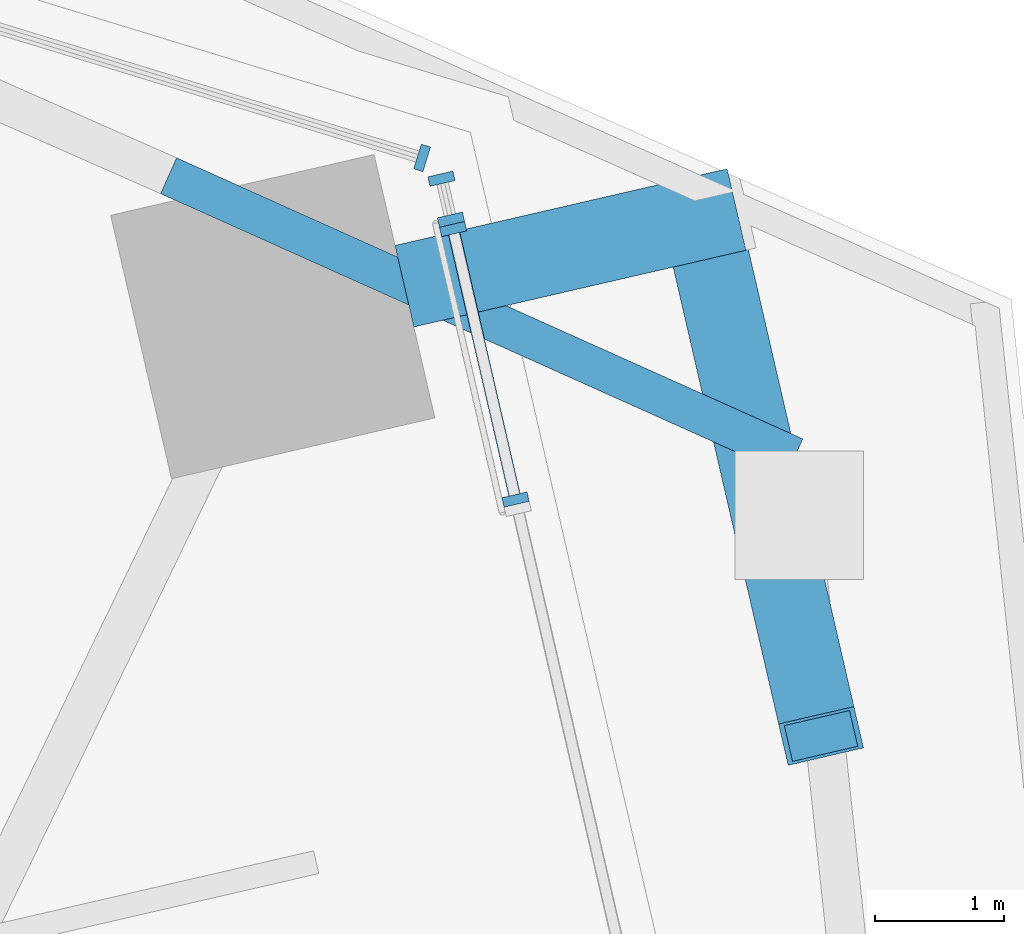
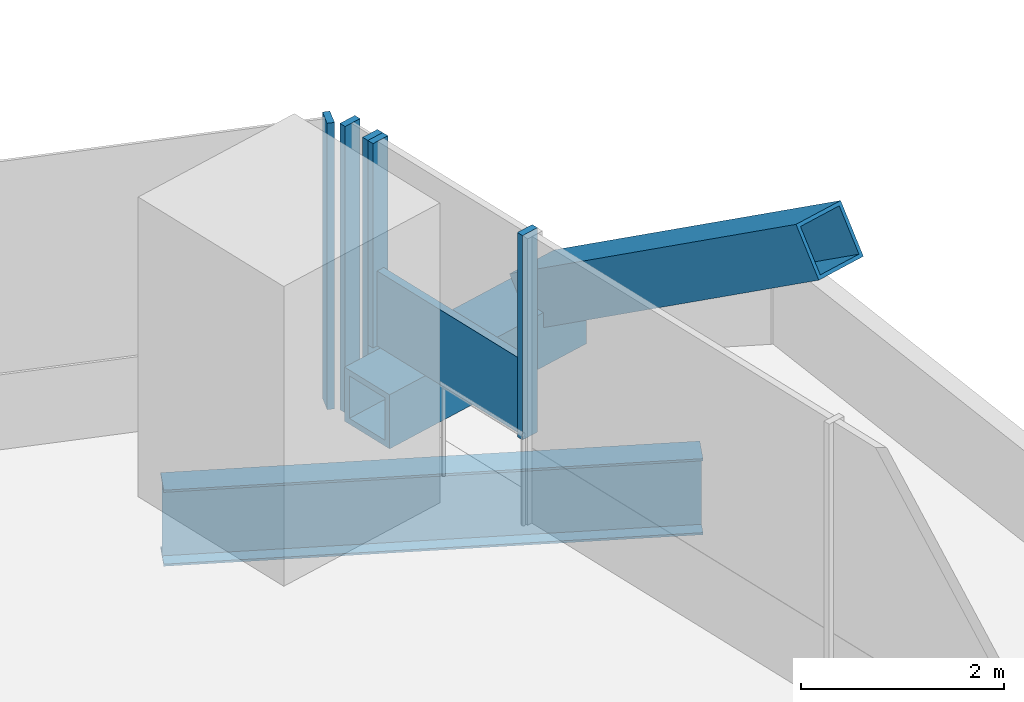
# One storey, part 10 of 25: 8 members, 1 beam, 3 elements without a shape of their own.
"""IFC4 building model written with IfcOpenShell, lengths in metres."""

import ifcopenshell
import ifcopenshell.guid

model = None  # the IFC model being written
_history = None  # IfcOwnerHistory: only IFC2X3 demands one
_inside = {}  # id of a spatial element -> (the spatial element, [elements in it])
_under = {}  # id of a project, library or spatial element -> (it, [spatial elements below it])
_declared = {}  # id of a project -> (the project, [libraries it declares])
_typed = {}  # id of a type object -> (the type object, [elements of that type])
_made_of = {}  # id of a material, layer set ... -> (it, [elements and type objects made of it])


def new_model(schema):
    """Start an empty IFC model of exactly this schema.

    Asked for "IFC4X3", IfcOpenShell would pick the latest addendum, in which some entities
    have other attributes; the version numbers below select the first issue.
    IFC2X3 requires an IfcOwnerHistory on every rooted entity: one is made here for all.
    """
    global model, _history
    if schema == "IFC4X3":
        model = ifcopenshell.file(schema_version=(4, 3, 0, 0))
    else:
        model = ifcopenshell.file(schema=schema)
    _inside.clear()
    _under.clear()
    _declared.clear()
    _typed.clear()
    _made_of.clear()
    _history = None
    if model.schema == "IFC2X3":
        org = make("IfcOrganization", Name="unknown")
        user = make(
            "IfcPersonAndOrganization",
            ThePerson=make("IfcPerson", FamilyName="unknown"),
            TheOrganization=org,
        )
        app = make(
            "IfcApplication",
            ApplicationDeveloper=org,
            Version="unknown",
            ApplicationFullName="unknown",
            ApplicationIdentifier="unknown",
        )
        _history = make(
            "IfcOwnerHistory",
            OwningUser=user,
            OwningApplication=app,
            ChangeAction="ADDED",
            CreationDate=0,
        )
    return model


def make(cls, **values):
    """One entity of the class cls with the attributes given. An attribute that is None is left unset."""
    return model.create_entity(
        cls, **{name: value for name, value in values.items() if value is not None}
    )


def rooted(cls, **values):
    """An entity with a GlobalId (a new one), such as an element, a storey or a relation."""
    return make(cls, GlobalId=ifcopenshell.guid.new(), OwnerHistory=_history, **values)


def si_unit(unit_type, name, prefix=None):
    """IfcSIUnit, for example si_unit("LENGTHUNIT", "METRE", prefix="MILLI")."""
    return make("IfcSIUnit", UnitType=unit_type, Prefix=prefix, Name=name)


def assignment(units):
    """IfcUnitAssignment: the units of a project."""
    return None if units is None else make("IfcUnitAssignment", Units=units)


def point(xyz):
    """IfcCartesianPoint."""
    return None if xyz is None else make("IfcCartesianPoint", Coordinates=xyz)


def direction(xyz):
    """IfcDirection."""
    return None if xyz is None else make("IfcDirection", DirectionRatios=xyz)


def frame(location, z_axis=None, x_axis=None):
    """IfcAxis2Placement3D, a coordinate frame: its origin and axes. An axis left out is left unset."""
    return make(
        "IfcAxis2Placement3D",
        Location=point(location),
        Axis=direction(z_axis),
        RefDirection=direction(x_axis),
    )


def frame_2d(location, x_axis=None):
    """IfcAxis2Placement2D, a coordinate frame in the plane: its origin and x axis."""
    return make(
        "IfcAxis2Placement2D", Location=point(location), RefDirection=direction(x_axis)
    )


def origin():
    """The frame at (0, 0, 0) with its axes left unset."""
    return frame((0.0, 0.0, 0.0))


def origin_2d():
    """The frame at (0, 0) in the plane with its x axis left unset."""
    return frame_2d((0.0, 0.0))


def place(relative_to, where):
    """IfcLocalPlacement: puts the frame where relative to a parent placement (None: the world)."""
    return make(
        "IfcLocalPlacement", PlacementRelTo=relative_to, RelativePlacement=where
    )


def context(
    kind, dimensions, precision=None, world=None, true_north=None, identifier=None
):
    """IfcGeometricRepresentationContext, for example the 3D "Model" context."""
    return make(
        "IfcGeometricRepresentationContext",
        ContextIdentifier=identifier,
        ContextType=kind,
        CoordinateSpaceDimension=dimensions,
        Precision=precision,
        WorldCoordinateSystem=world,
        TrueNorth=true_north,
    )


def subcontext(parent, identifier, kind, view, scale=None):
    """IfcGeometricRepresentationSubContext, for example "Body" below "Model"."""
    return make(
        "IfcGeometricRepresentationSubContext",
        ContextIdentifier=identifier,
        ContextType=kind,
        ParentContext=parent,
        TargetScale=scale,
        TargetView=view,
    )


def project(units=None, contexts=None):
    """IfcProject with its units and contexts."""
    return rooted(
        "IfcProject",
        Name="project",
        RepresentationContexts=contexts,
        UnitsInContext=assignment(units),
    )


def spatial(cls, under=None, at=None, **own):
    """A site, building, storey or space (cls), placed at a placement, below another one or the project."""
    s = rooted(cls, ObjectPlacement=at, **own)
    if under is not None:
        _under.setdefault(under.id(), (under, []))[1].append(s)
    return s


def profile(cls, at=None, kind="AREA", **sizes):
    """A parametric profile (cls). Its sizes go by their IFC names, for example OverallWidth=200.0."""
    return make(cls, ProfileType=kind, Position=at, **sizes)


def rectangle(**sizes):
    """IfcRectangleProfileDef."""
    return profile("IfcRectangleProfileDef", **sizes)


def hollow_rectangle(**sizes):
    """IfcRectangleHollowProfileDef."""
    return profile("IfcRectangleHollowProfileDef", **sizes)


def i_section(**sizes):
    """IfcIShapeProfileDef."""
    return profile("IfcIShapeProfileDef", **sizes)


def extrude(swept, where, along, depth):
    """IfcExtrudedAreaSolid: the profile swept, set in the frame where, extruded along a direction by depth."""
    return make(
        "IfcExtrudedAreaSolid",
        SweptArea=swept,
        Position=where,
        ExtrudedDirection=direction(along),
        Depth=depth,
    )


def shape(context_of_items, identifier, shape_type, items):
    """IfcShapeRepresentation: the items that make up one representation, for example the "Body"."""
    return make(
        "IfcShapeRepresentation",
        ContextOfItems=context_of_items,
        RepresentationIdentifier=identifier,
        RepresentationType=shape_type,
        Items=items,
    )


def source(mapping_origin, context_of_items, identifier, shape_type, items):
    """IfcRepresentationMap: a shape defined once, which mapped items show again and again."""
    return make(
        "IfcRepresentationMap",
        MappingOrigin=mapping_origin,
        MappedRepresentation=shape(context_of_items, identifier, shape_type, items),
    )


def transform(
    local_origin,
    x_axis=None,
    y_axis=None,
    z_axis=None,
    scale=None,
    scale2=None,
    scale3=None,
    uniform=True,
):
    """IfcCartesianTransformationOperator3D, or its non-uniform kind. x_axis, y_axis, z_axis: its Axis1, 2, 3."""
    if uniform:
        return make(
            "IfcCartesianTransformationOperator3D",
            Axis1=direction(x_axis),
            Axis2=direction(y_axis),
            LocalOrigin=point(local_origin),
            Scale=scale,
            Axis3=direction(z_axis),
        )
    return make(
        "IfcCartesianTransformationOperator3DnonUniform",
        Axis1=direction(x_axis),
        Axis2=direction(y_axis),
        LocalOrigin=point(local_origin),
        Scale=scale,
        Axis3=direction(z_axis),
        Scale2=scale2,
        Scale3=scale3,
    )


def mapped(mapping_source, mapping_target):
    """IfcMappedItem: shows the shape of a source again, moved by a transform."""
    return make(
        "IfcMappedItem", MappingSource=mapping_source, MappingTarget=mapping_target
    )


def material(Name=None, Category=None):
    """IfcMaterial."""
    return make("IfcMaterial", Name=Name, Category=Category)


def material_profile(
    of_material, cross_section, Name=None, Category=None, Priority=None
):
    """IfcMaterialProfile: a cross section and its material."""
    return make(
        "IfcMaterialProfile",
        Name=Name,
        Material=of_material,
        Profile=cross_section,
        Priority=Priority,
        Category=Category,
    )


def profile_set(profiles, Name=None, composite=None):
    """IfcMaterialProfileSet."""
    return make(
        "IfcMaterialProfileSet",
        Name=Name,
        MaterialProfiles=profiles,
        CompositeProfile=composite,
    )


def made_of(thing, what):
    """Note that an element or type object is made of a material, layer set ...; save() writes the relation."""
    if what is not None:
        _made_of.setdefault(what.id(), (what, []))[1].append(thing)
    return thing


def type_object(cls, material=None, **own):
    """A type object (cls), such as IfcWallType, which elements share."""
    return made_of(rooted(cls, **own), material)


def element(
    cls,
    number,
    at=None,
    inside=None,
    cuts=None,
    type_object=None,
    material=None,
    context=None,
    identifier="Body",
    shape_type=None,
    held_by="IfcProductDefinitionShape",
    body=None,
    shapes=None,
    **own,
):
    """One element of the class cls, such as IfcWall. Its Tag is "e" and its number.

    at: its placement. inside: the storey or other place that contains it. cuts: it is an
    opening in that element (IfcRelVoidsElement). A single representation is given by context,
    identifier, shape_type and body (its items); several are given by shapes. held_by: the class
    of the entity that holds the representations. save() writes the other relations.
    """
    e = rooted(cls, Tag="e%d" % number, ObjectPlacement=at, **own)
    if body is not None:
        shapes = [shape(context, identifier, shape_type, body)]
    if shapes is not None:
        e.Representation = make(held_by, Representations=shapes)
    if inside is not None:
        _inside.setdefault(inside.id(), (inside, []))[1].append(e)
    if cuts is not None:
        rooted(
            "IfcRelVoidsElement", RelatingBuildingElement=cuts, RelatedOpeningElement=e
        )
    if type_object is not None:
        _typed.setdefault(type_object.id(), (type_object, []))[1].append(e)
    return made_of(e, material)


def aggregate(whole, parts):
    """IfcRelAggregates: a whole, such as a stair, and the parts it consists of."""
    return rooted("IfcRelAggregates", RelatingObject=whole, RelatedObjects=parts)


def save(model, path):
    """Write the relations noted so far, then the file.

    IfcRelAggregates (storeys below a building ...), IfcRelContainedInSpatialStructure (elements
    in a storey), IfcRelDefinesByType, IfcRelAssociatesMaterial and IfcRelDeclares: one each for
    every whole, place, type object, material and project.
    """
    for whole, parts in _under.values():
        aggregate(whole, parts)
    for where, things in _inside.values():
        rooted(
            "IfcRelContainedInSpatialStructure",
            RelatedElements=things,
            RelatingStructure=where,
        )
    for kind, things in _typed.values():
        rooted("IfcRelDefinesByType", RelatedObjects=things, RelatingType=kind)
    for what, things in _made_of.values():
        rooted("IfcRelAssociatesMaterial", RelatedObjects=things, RelatingMaterial=what)
    for by, libraries in _declared.values():
        rooted("IfcRelDeclares", RelatingContext=by, RelatedDefinitions=libraries)
    model.write(path)


model = new_model("IFC4")

# Units and contexts
model_context = context("Model", 3, precision=1e-05, world=origin(), true_north=direction((0.0, 1.0)))
body_context = subcontext(model_context, "Body", "Model", "MODEL_VIEW")
ifc_project = project(units=[si_unit("LENGTHUNIT", "METRE"), si_unit("AREAUNIT", "SQUARE_METRE"), si_unit("VOLUMEUNIT", "CUBIC_METRE"), si_unit("PLANEANGLEUNIT", "RADIAN"), si_unit("MASSUNIT", "GRAM", prefix="KILO")], contexts=[model_context])

# Site, building, storey
site_placement = place(None, origin())
site = spatial("IfcSite", under=ifc_project, at=site_placement, CompositionType="ELEMENT")
building_placement = place(site_placement, origin())
building = spatial("IfcBuilding", under=site, at=building_placement, Name="Triune Harvest Tower", CompositionType="ELEMENT")
storey_placement = place(building_placement, frame((0.0, 0.0, 98.300048828125)))
storey = spatial("IfcBuildingStorey", under=building, at=storey_placement, Name="L24", CompositionType="ELEMENT", Elevation=98.300048828125)

# Beam
ifc_material_1 = material(Name="Steel ASTM A992 Gr 50", Category="steel")
ifc_material_profile_1 = material_profile(ifc_material_1, i_section(OverallWidth=0.3046875, OverallDepth=0.914306640625, WebThickness=0.0166015625, FlangeThickness=0.02587890625, at=origin_2d()), Name="W36x160")
ifc_profile_set_1 = profile_set([ifc_material_profile_1], Name="Steel ASTM A992 Gr 50")
beam_type = type_object("IfcBeamType", Name="SB-1 Spandrel beam W36x160", PredefinedType="SPANDREL", material=ifc_profile_set_1)
beam_placement = place(storey_placement, frame((18.35791015625, 28.11962890625, -0.6171875), z_axis=(-0.912314207027, 0.409490888368, 0.0), x_axis=(-0.409490888368, -0.912314207027, 0.0)))
element("IfcBeam", 1, at=beam_placement, inside=storey, type_object=beam_type, Name="beam/L24/WB6", PredefinedType="SPANDREL", context=body_context, shape_type="SweptSolid", body=[
    extrude(i_section(OverallWidth=0.3046875, OverallDepth=0.914306640625, WebThickness=0.0166015625, FlangeThickness=0.02587890625, at=origin_2d()), origin(), (0.0, 0.0, 1.0), 5.333740234375),
])

# Members
ifc_material_2 = material(Name="Steel ASTM A572 Gr 50", Category="steel")
ifc_material_profile_2 = material_profile(ifc_material_2, hollow_rectangle(XDim=0.64990234375, YDim=0.64990234375, WallThickness=0.070068359375, at=origin_2d()), Name="Box 650x650x70")
ifc_profile_set_2 = profile_set([ifc_material_profile_2], Name="Steel ASTM A572 Gr 50")
member_type_1 = type_object("IfcMemberType", Name="BS-1 Brace stub Box 650x650x70", PredefinedType="STRUT", material=ifc_profile_set_2)
shared_shape_1 = source(origin(), body_context, "Body", "SweptSolid", [
    extrude(hollow_rectangle(XDim=0.64990234375, YDim=0.64990234375, WallThickness=0.070068359375, at=origin_2d()), origin(), (0.0, 0.0, 1.0), 2.648681640625),
])
member_1_placement = place(storey_placement, frame((15.32470703125, 29.4453125, 0.599853515625), z_axis=(0.974380319994, 0.224906629532, 0.0), x_axis=(-0.224906629532, 0.974380319994, 0.0)))
element("IfcMember", 2, at=member_1_placement, inside=storey, type_object=member_type_1, Name="brace/B3-F1/stub3", PredefinedType="STRUT", context=body_context, shape_type="MappedRepresentation", body=[
    mapped(shared_shape_1, transform((0.0, 0.0, 0.0), scale=1.0)),
])
ifc_material_3 = material(Name="Steel ASTM A572 Gr 50", Category="steel")
ifc_material_profile_3 = material_profile(ifc_material_3, hollow_rectangle(XDim=0.60009765625, YDim=0.60009765625, WallThickness=0.0400390625, at=origin_2d()), Name="Box 600x600x40")
ifc_profile_set_3 = profile_set([ifc_material_profile_3], Name="Steel ASTM A572 Gr 50")
member_type_2 = type_object("IfcMemberType", Name="BR-2 Brace Box 600x600x40", PredefinedType="BRACE", material=ifc_profile_set_3)
shared_shape_2 = source(origin(), body_context, "Body", "SweptSolid", [
    extrude(hollow_rectangle(XDim=0.60009765625, YDim=0.60009765625, WallThickness=0.0400390625, at=origin_2d()), origin(), (0.0, 0.0, 1.0), 4.94287109375),
])
member_2_placement = place(storey_placement, frame((17.632568359375, 29.97802734375, 0.889892578125), z_axis=(0.188135476221, -0.814875055577, 0.548255128919), x_axis=(0.974368296684, 0.224958712697, 0.0)))
element("IfcMember", 3, at=member_2_placement, inside=storey, type_object=member_type_2, Name="brace/B3-F1/d2/1", PredefinedType="BRACE", context=body_context, shape_type="MappedRepresentation", body=[
    mapped(shared_shape_2, transform((0.0, 0.0, 0.0), scale=1.0)),
])

# Curtain wall, members
ifc_material_4 = material(Name="Aluminium bronze anodised", Category="aluminium")
curtain_wall_type_1 = type_object("IfcCurtainWallType", Name="CW-1 Tower stick curtain wall", PredefinedType="NOTDEFINED", material=ifc_material_4)
curtain_wall_1_placement = place(storey_placement, origin())
curtain_wall_1 = element("IfcCurtainWall", 4, at=curtain_wall_1_placement, inside=storey, type_object=curtain_wall_type_1, Name="CW-1 B3-F1 L24 run 301")
ifc_material_5 = material(Name="Aluminium bronze anodised", Category="aluminium")
ifc_material_profile_4 = material_profile(ifc_material_5, rectangle(XDim=0.199951171875, YDim=0.074951171875, at=origin_2d()), Name="MU-1 mullion 75 x 200")
ifc_profile_set_4 = profile_set([ifc_material_profile_4], Name="Aluminium bronze anodised")
member_type_3 = type_object("IfcMemberType", Name="MU-1 mullion 75 x 200", PredefinedType="MULLION", material=ifc_profile_set_4)
shared_shape_3 = source(origin(), body_context, "Body", "SweptSolid", [
    extrude(rectangle(XDim=0.199951171875, YDim=0.074951171875, at=origin_2d()), origin(), (0.0, 0.0, 1.0), 3.43994140625),
])
member_3_placement = place(storey_placement, frame((15.686279296875, 29.96240234375, 0.0), z_axis=(0.0, 0.0, 1.0), x_axis=(-0.974349222635, -0.225041312542, 0.0)))
member_3 = element("IfcMember", 5, at=member_3_placement, type_object=member_type_3, Name="CW-1 mullion B3-F1 301.1", PredefinedType="MULLION", context=body_context, shape_type="MappedRepresentation", body=[
    mapped(shared_shape_3, transform((0.0, 0.0, 0.0), scale=1.0)),
])
member_4_placement = place(storey_placement, frame((15.612548828125, 30.28076171875, 0.0), z_axis=(0.0, 0.0, 1.0), x_axis=(-0.974349222635, -0.225041312542, 0.0)))
member_4 = element("IfcMember", 6, at=member_4_placement, type_object=member_type_3, Name="CW-1 mullion B3-F1 301.2", PredefinedType="MULLION", context=body_context, shape_type="MappedRepresentation", body=[
    mapped(shared_shape_3, transform((0.0, 0.0, 0.0), scale=1.0)),
])
aggregate(curtain_wall_1, [member_3, member_4])

# Curtain wall, member
curtain_wall_2_placement = place(storey_placement, origin())
curtain_wall_2 = element("IfcCurtainWall", 7, at=curtain_wall_2_placement, inside=storey, type_object=curtain_wall_type_1, Name="CW-1 B3-F2 L24 run 1")
member_5_placement = place(storey_placement, frame((15.462158203125, 30.4423828125, 0.0), z_axis=(0.0, 0.0, 1.0), x_axis=(-0.292376962095, -0.956303148607, 0.0)))
member_5 = element("IfcMember", 8, at=member_5_placement, type_object=member_type_3, Name="CW-1 mullion B3-F2 1.1", PredefinedType="MULLION", context=body_context, shape_type="MappedRepresentation", body=[
    mapped(shared_shape_3, transform((0.0, 0.0, 0.0), scale=1.0)),
])
aggregate(curtain_wall_2, [member_5])

# Curtain wall, members
ifc_material_6 = material(Name="Aluminium bronze anodised", Category="aluminium")
curtain_wall_type_2 = type_object("IfcCurtainWallType", Name="CW-7 Tower stick curtain wall with insulated spandrel infill", PredefinedType="NOTDEFINED", material=ifc_material_6)
curtain_wall_3_placement = place(storey_placement, origin())
curtain_wall_3 = element("IfcCurtainWall", 9, at=curtain_wall_3_placement, inside=storey, type_object=curtain_wall_type_2, Name="CW-7 B3-F1 L24 run 201")
shared_shape_4 = source(origin(), body_context, "Body", "SweptSolid", [
    extrude(rectangle(XDim=0.199951171875, YDim=0.074951171875, at=origin_2d()), origin(), (0.0, 0.0, 1.0), 2.455078125),
])
member_6_placement = place(storey_placement, frame((16.1884765625, 27.787353515625, 0.98486328125), z_axis=(0.0, 0.0, 1.0), x_axis=(-0.974366274869, -0.224967469644, 0.0)))
member_6 = element("IfcMember", 10, at=member_6_placement, type_object=member_type_3, Name="CW-7 mullion B3-F1 201.1", PredefinedType="MULLION", context=body_context, shape_type="MappedRepresentation", body=[
    mapped(shared_shape_4, transform((0.0, 0.0, 0.0), scale=1.0)),
])
member_7_placement = place(storey_placement, frame((15.703125, 29.889404296875, 0.98486328125), z_axis=(0.0, 0.0, 1.0), x_axis=(-0.974366274869, -0.224967469644, 0.0)))
member_7 = element("IfcMember", 11, at=member_7_placement, type_object=member_type_3, Name="CW-7 mullion B3-F1 201.2", PredefinedType="MULLION", context=body_context, shape_type="MappedRepresentation", body=[
    mapped(shared_shape_4, transform((0.0, 0.0, 0.0), scale=1.0)),
])
ifc_material_7 = material(Name="Aluminium bronze anodised", Category="aluminium")
ifc_material_profile_5 = material_profile(ifc_material_7, rectangle(XDim=0.090087890625, YDim=0.89990234375, at=origin_2d()), Name="TR-1 transom 90 x 900")
ifc_profile_set_5 = profile_set([ifc_material_profile_5], Name="Aluminium bronze anodised")
member_type_4 = type_object("IfcMemberType", Name="TR-1 transom 90 x 900", PredefinedType="USERDEFINED", material=ifc_profile_set_5)
shared_shape_5 = source(origin(), body_context, "Body", "SweptSolid", [
    extrude(rectangle(XDim=0.090087890625, YDim=0.89990234375, at=origin_2d()), origin(), (0.0, 0.0, 1.0), 2.082275390625),
])
member_8_placement = place(storey_placement, frame((16.179931640625, 27.823974609375, 1.43505859375), z_axis=(-0.225005080135, 0.974357590371, 0.0), x_axis=(-0.974357590371, -0.225005080135, 0.0)))
member_8 = element("IfcMember", 12, at=member_8_placement, type_object=member_type_4, Name="CW-7 transom B3-F1 201.1", ObjectType="TRANSOM", PredefinedType="USERDEFINED", context=body_context, shape_type="MappedRepresentation", body=[
    mapped(shared_shape_5, transform((0.0, 0.0, 0.0), scale=1.0)),
])
aggregate(curtain_wall_3, [member_6, member_7, member_8])

save(model, "model.ifc")
